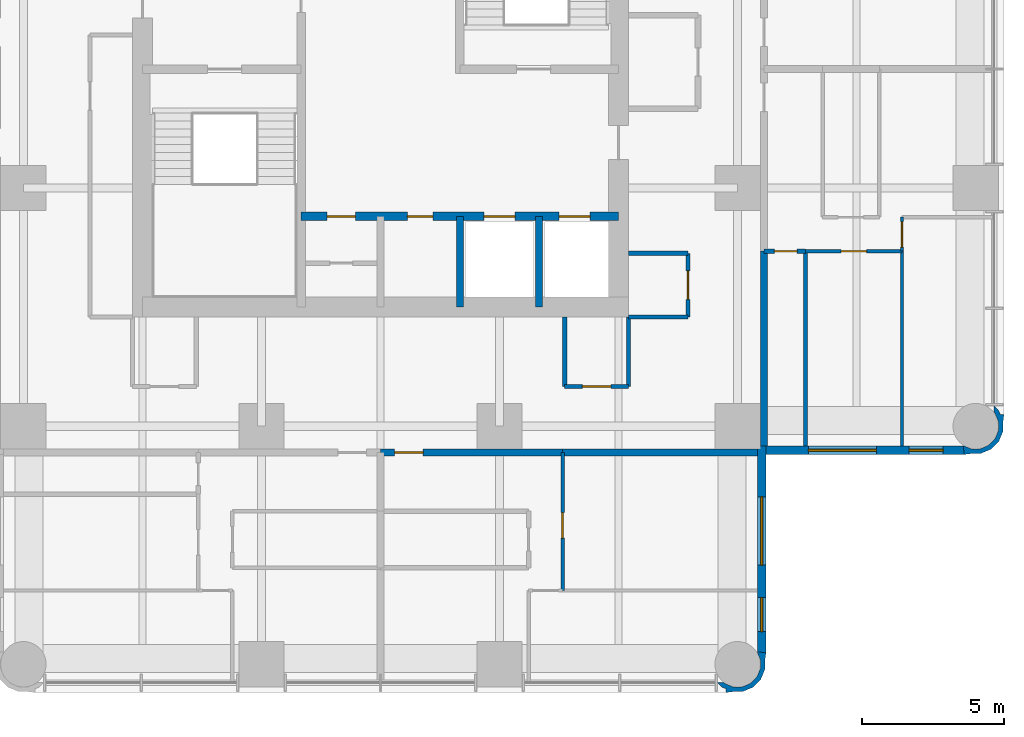
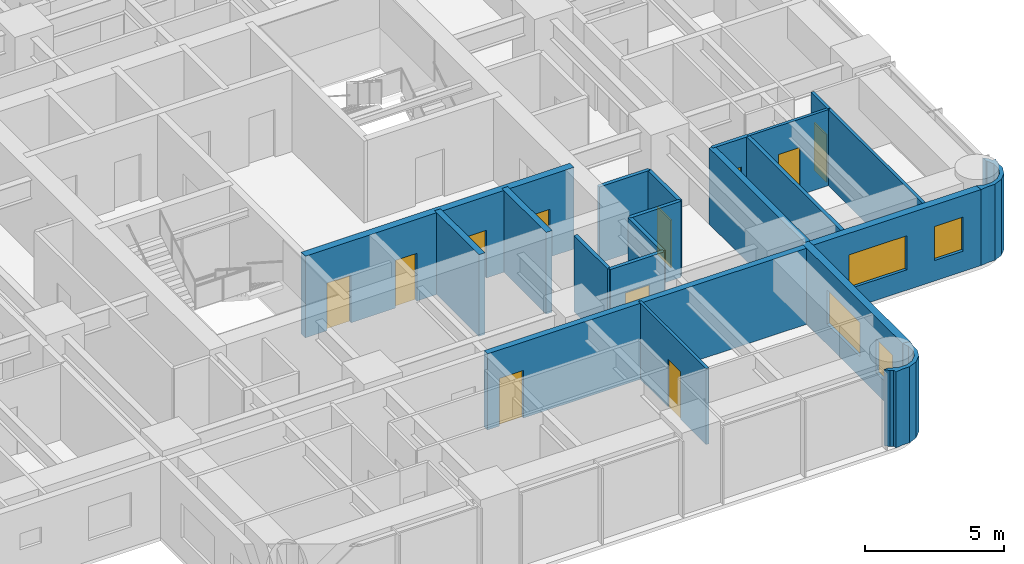
# One storey, part 7 of 11: 22 walls, 11 doors, 4 windows, 15 openings.
"""IFC4 building model written with IfcOpenShell, lengths in metres."""

from ifc_helpers import new_model, si_unit, direction, frame, frame_2d, origin, place, context, subcontext, project, spatial, polyline, rectangle, outline, extrude, material, layer, layer_set, type_object, element, fill, save


model = new_model("IFC4")

# Units and contexts
model_context = context("Model", 3, precision=1e-05, world=origin(), true_north=direction((0.0, 1.0)))
body_context = subcontext(model_context, "Body", "Model", "MODEL_VIEW")
ifc_project = project(units=[si_unit("LENGTHUNIT", "METRE"), si_unit("AREAUNIT", "SQUARE_METRE"), si_unit("VOLUMEUNIT", "CUBIC_METRE"), si_unit("PLANEANGLEUNIT", "RADIAN"), si_unit("MASSUNIT", "GRAM", prefix="KILO")], contexts=[model_context])

# Site, building, storey
site_placement = place(None, origin())
site = spatial("IfcSite", under=ifc_project, at=site_placement, CompositionType="ELEMENT")
building_placement = place(site_placement, origin())
building = spatial("IfcBuilding", under=site, at=building_placement, Name="Torre Alcanfor", CompositionType="ELEMENT")
storey_placement = place(building_placement, frame((0.0, 0.0, 244.5)))
storey = spatial("IfcBuildingStorey", under=building, at=storey_placement, Name="L64", CompositionType="ELEMENT", Elevation=244.5)

# Wall
ifc_material_1 = material(Name="Concrete block masonry, hollow blocks NMX-C-404 9 MPa", Category="masonry")
ifc_layer_1 = layer(ifc_material_1, 0.25)
ifc_layer_set_1 = layer_set([ifc_layer_1], Name="Apartment entrance wall 250 EI 60")
wall_type_1 = type_object("IfcWallType", Name="Apartment entrance wall 250 EI 60", PredefinedType="PARTITIONING", material=ifc_layer_set_1)
wall_1_placement = place(storey_placement, frame((42.925048828125, 22.970947265625, 0.0), z_axis=(0.0, 0.0, 1.0), x_axis=(0.0, -1.0, 0.0)))
element("IfcWall", 1, at=wall_1_placement, inside=storey, type_object=wall_type_1, Name="Partition L64-CORR / L64-E2-BATH", PredefinedType="PARTITIONING", context=body_context, shape_type="SweptSolid", body=[
    extrude(rectangle(XDim=6.870849609375, YDim=0.25, at=frame_2d((3.435546875, 0.0))), origin(), (0.0, 0.0, 1.0), 3.35009765625),
])

# Wall, opening, door
wall_2_placement = place(storey_placement, frame((35.8291015625, 15.875, 0.0), z_axis=(0.0, 0.0, 1.0), x_axis=(-1.0, 0.0, 0.0)))
wall_2 = element("IfcWall", 2, at=wall_2_placement, inside=storey, type_object=wall_type_1, Name="Partition L64-CORR / L64-S1-LIVING", PredefinedType="PARTITIONING", context=body_context, shape_type="SweptSolid", body=[
    extrude(rectangle(XDim=6.42919921875, YDim=0.25, at=frame_2d((3.214599609375, 0.0))), origin(), (0.0, 0.0, 1.0), 3.35009765625),
])
opening_1_placement = place(wall_2_placement, frame((4.928955078125, 0.0, 0.0)))
opening_1 = element("IfcOpeningElement", 3, at=opening_1_placement, cuts=wall_2, Name="Opening D-A1", PredefinedType="OPENING", context=body_context, shape_type="SweptSolid", body=[
    extrude(rectangle(XDim=1.0, YDim=2.10009765625, at=frame_2d((0.5, 1.050048828125))), frame((0.0, 0.135009765625, 0.0), z_axis=(0.0, -1.0, 0.0), x_axis=(1.0, 0.0, 0.0)), (0.0, 0.0, 1.0), 0.27001953125),
])
ifc_material_2 = material(Name="Galvanised steel sheet ASTM A653", Category="steel")
door_type_1 = type_object("IfcDoorType", Name="Apartment entrance door FD60 1000x2100", OperationType="SINGLE_SWING_LEFT", PredefinedType="DOOR", material=ifc_material_2)
door_1_placement = place(opening_1_placement, origin())
door_1 = element("IfcDoor", 4, at=door_1_placement, inside=storey, type_object=door_type_1, Name="Apartment entrance L64-S1", OperationType="SINGLE_SWING_RIGHT", OverallHeight=2.10009765625, OverallWidth=1.0, PredefinedType="DOOR", context=body_context, shape_type="SweptSolid", body=[
    extrude(rectangle(XDim=1.0, YDim=2.10009765625, at=frame_2d((0.5, 1.050048828125))), frame((0.0, 0.02490234375, 0.0), z_axis=(0.0, -1.0, 0.0), x_axis=(1.0, 0.0, 0.0)), (0.0, 0.0, 1.0), 0.050048828125),
])
fill(opening_1, door_1)

# Wall
wall_3_placement = place(storey_placement, frame((42.699951171875, 15.875, 0.0), z_axis=(0.0, 0.0, 1.0), x_axis=(-1.0, 0.0, 0.0)))
element("IfcWall", 5, at=wall_3_placement, inside=storey, type_object=wall_type_1, Name="Partition L64-CORR / L64-S1-BED2", PredefinedType="PARTITIONING", context=body_context, shape_type="SweptSolid", body=[
    extrude(rectangle(XDim=6.870849609375, YDim=0.25, at=frame_2d((3.435546875, 0.0))), origin(), (0.0, 0.0, 1.0), 3.35009765625),
])

# Wall, opening, door
ifc_material_3 = material(Name="Gypsum board on steel studs", Category="steel")
ifc_layer_2 = layer(ifc_material_3, 0.1201171875)
ifc_layer_set_2 = layer_set([ifc_layer_2], Name="Apartment partition 120")
wall_type_2 = type_object("IfcWallType", Name="Apartment partition 120", PredefinedType="PARTITIONING", material=ifc_layer_set_2)
wall_4_placement = place(storey_placement, frame((47.800048828125, 22.970947265625, 0.0), z_axis=(0.0, 0.0, 1.0), x_axis=(-1.0, 0.0, 0.0)))
wall_4 = element("IfcWall", 6, at=wall_4_placement, inside=storey, type_object=wall_type_2, Name="Partition L64-E2-LIVING / L64-E2-STUDY", PredefinedType="PARTITIONING", context=body_context, shape_type="SweptSolid", body=[
    extrude(rectangle(XDim=3.400146484375, YDim=0.1201171875, at=frame_2d((1.7001953125, 0.0))), origin(), (0.0, 0.0, 1.0), 3.35009765625),
])
opening_2_placement = place(wall_4_placement, frame((1.25, 0.0, 0.0)))
opening_2 = element("IfcOpeningElement", 7, at=opening_2_placement, cuts=wall_4, Name="Opening D-R1", PredefinedType="OPENING", context=body_context, shape_type="SweptSolid", body=[
    extrude(rectangle(XDim=0.89990234375, YDim=2.10009765625, at=frame_2d((0.449951171875, 1.050048828125))), frame((0.0, 0.070068359375, 0.0), z_axis=(0.0, -1.0, 0.0), x_axis=(1.0, 0.0, 0.0)), (0.0, 0.0, 1.0), 0.14013671875),
])
ifc_material_4 = material(Name="Timber", Category="wood")
door_type_2 = type_object("IfcDoorType", Name="Internal door 900x2100", OperationType="SINGLE_SWING_LEFT", PredefinedType="DOOR", material=ifc_material_4)
door_2_placement = place(opening_2_placement, origin())
door_2 = element("IfcDoor", 8, at=door_2_placement, inside=storey, type_object=door_type_2, Name="Door L64-E2 study", OperationType="SINGLE_SWING_LEFT", OverallHeight=2.10009765625, OverallWidth=0.89990234375, PredefinedType="DOOR", context=body_context, shape_type="SweptSolid", body=[
    extrude(rectangle(XDim=0.89990234375, YDim=2.10009765625, at=frame_2d((0.449951171875, 1.050048828125))), frame((0.0, 0.02490234375, 0.0), z_axis=(0.0, -1.0, 0.0), x_axis=(1.0, 0.0, 0.0)), (0.0, 0.0, 1.0), 0.050048828125),
])
fill(opening_2, door_2)

wall_5_placement = place(storey_placement, frame((47.800048828125, 24.1708984375, 0.0), z_axis=(0.0, 0.0, 1.0), x_axis=(0.0, -1.0, 0.0)))
wall_5 = element("IfcWall", 9, at=wall_5_placement, inside=storey, type_object=wall_type_2, Name="Partition L64-E2-LIVING / L64-E2-MASTER", PredefinedType="PARTITIONING", context=body_context, shape_type="SweptSolid", body=[
    extrude(rectangle(XDim=1.199951171875, YDim=0.1201171875, at=frame_2d((0.60009765625, 0.0))), origin(), (0.0, 0.0, 1.0), 3.35009765625),
])
opening_3_placement = place(wall_5_placement, frame((0.15087890625, 0.0, 0.0)))
opening_3 = element("IfcOpeningElement", 10, at=opening_3_placement, cuts=wall_5, Name="Opening D-R1", PredefinedType="OPENING", context=body_context, shape_type="SweptSolid", body=[
    extrude(rectangle(XDim=0.89990234375, YDim=2.10009765625, at=frame_2d((0.449951171875, 1.050048828125))), frame((0.0, 0.070068359375, 0.0), z_axis=(0.0, -1.0, 0.0), x_axis=(1.0, 0.0, 0.0)), (0.0, 0.0, 1.0), 0.14013671875),
])
door_3_placement = place(opening_3_placement, origin())
door_3 = element("IfcDoor", 11, at=door_3_placement, inside=storey, type_object=door_type_2, Name="Door L64-E2 master", OperationType="SINGLE_SWING_LEFT", OverallHeight=2.10009765625, OverallWidth=0.89990234375, PredefinedType="DOOR", context=body_context, shape_type="SweptSolid", body=[
    extrude(rectangle(XDim=0.89990234375, YDim=2.10009765625, at=frame_2d((0.449951171875, 1.050048828125))), frame((0.0, 0.02490234375, 0.0), z_axis=(0.0, -1.0, 0.0), x_axis=(1.0, 0.0, 0.0)), (0.0, 0.0, 1.0), 0.050048828125),
])
fill(opening_3, door_3)

# Wall
wall_6_placement = place(storey_placement, frame((47.800048828125, 22.970947265625, 0.0), z_axis=(0.0, 0.0, 1.0), x_axis=(0.0, -1.0, 0.0)))
element("IfcWall", 12, at=wall_6_placement, inside=storey, type_object=wall_type_2, Name="Partition L64-E2-STUDY / L64-E2-MASTER", PredefinedType="PARTITIONING", context=body_context, shape_type="SweptSolid", body=[
    extrude(rectangle(XDim=6.870849609375, YDim=0.1201171875, at=frame_2d((3.435546875, 0.0))), origin(), (0.0, 0.0, 1.0), 3.35009765625),
])

# Wall, opening, door
wall_7_placement = place(storey_placement, frame((35.8291015625, 15.875, 0.0), z_axis=(0.0, 0.0, 1.0), x_axis=(0.0, -1.0, 0.0)))
wall_7 = element("IfcWall", 13, at=wall_7_placement, inside=storey, type_object=wall_type_2, Name="Partition L64-S1-LIVING / L64-S1-BED2", PredefinedType="PARTITIONING", context=body_context, shape_type="SweptSolid", body=[
    extrude(rectangle(XDim=4.875, YDim=0.1201171875, at=frame_2d((2.4375, 0.0))), origin(), (0.0, 0.0, 1.0), 3.35009765625),
])
opening_4_placement = place(wall_7_placement, frame((2.125, 0.0, 0.0)))
opening_4 = element("IfcOpeningElement", 14, at=opening_4_placement, cuts=wall_7, Name="Opening D-R1", PredefinedType="OPENING", context=body_context, shape_type="SweptSolid", body=[
    extrude(rectangle(XDim=0.89990234375, YDim=2.10009765625, at=frame_2d((0.449951171875, 1.050048828125))), frame((0.0, 0.070068359375, 0.0), z_axis=(0.0, -1.0, 0.0), x_axis=(1.0, 0.0, 0.0)), (0.0, 0.0, 1.0), 0.14013671875),
])
door_4_placement = place(opening_4_placement, origin())
door_4 = element("IfcDoor", 15, at=door_4_placement, inside=storey, type_object=door_type_2, Name="Door L64-S1 bed2", OperationType="SINGLE_SWING_RIGHT", OverallHeight=2.10009765625, OverallWidth=0.89990234375, PredefinedType="DOOR", context=body_context, shape_type="SweptSolid", body=[
    extrude(rectangle(XDim=0.89990234375, YDim=2.10009765625, at=frame_2d((0.449951171875, 1.050048828125))), frame((0.0, 0.02490234375, 0.0), z_axis=(0.0, -1.0, 0.0), x_axis=(1.0, 0.0, 0.0)), (0.0, 0.0, 1.0), 0.050048828125),
])
fill(opening_4, door_4)

# Wall, openings, doors
ifc_material_5 = material(Name="Concrete f'c 70 MPa", Category="concrete")
ifc_layer_3 = layer(ifc_material_5, 0.300048828125)
ifc_layer_set_3 = layer_set([ifc_layer_3], Name="Core inner wall 300 f'c70")
wall_type_3 = type_object("IfcWallType", Name="Core inner wall 300 f'c70", PredefinedType="SHEAR", material=ifc_layer_set_3)
wall_8_placement = place(storey_placement, frame((26.60009765625, 24.199951171875, 0.0), z_axis=(0.0, 0.0, 1.0), x_axis=(1.0, 0.0, 0.0)))
wall_8 = element("IfcWall", 16, at=wall_8_placement, inside=storey, type_object=wall_type_3, Name="Core wall Y242 L64", PredefinedType="SHEAR", context=body_context, shape_type="SweptSolid", body=[
    extrude(rectangle(XDim=11.199951171875, YDim=0.300048828125, at=frame_2d((5.60009765625, 0.0))), origin(), (0.0, 0.0, 1.0), 3.60009765625),
])
opening_5_placement = place(wall_8_placement, frame((0.91259765625, 0.0, 0.0)))
opening_5 = element("IfcOpeningElement", 17, at=opening_5_placement, cuts=wall_8, Name="Opening D-K1", PredefinedType="OPENING", context=body_context, shape_type="SweptSolid", body=[
    extrude(rectangle(XDim=1.0, YDim=2.10009765625, at=frame_2d((0.5, 1.050048828125))), frame((0.0, 0.159912109375, 0.0), z_axis=(0.0, -1.0, 0.0), x_axis=(1.0, 0.0, 0.0)), (0.0, 0.0, 1.0), 0.320068359375),
])
opening_6_placement = place(wall_8_placement, frame((3.75, 0.0, 0.0)))
opening_6 = element("IfcOpeningElement", 18, at=opening_6_placement, cuts=wall_8, Name="Opening D-Q1", PredefinedType="OPENING", context=body_context, shape_type="SweptSolid", body=[
    extrude(rectangle(XDim=0.89990234375, YDim=2.10009765625, at=frame_2d((0.449951171875, 1.050048828125))), frame((0.0, 0.159912109375, 0.0), z_axis=(0.0, -1.0, 0.0), x_axis=(1.0, 0.0, 0.0)), (0.0, 0.0, 1.0), 0.320068359375),
])
opening_7_placement = place(wall_8_placement, frame((6.449951171875, 0.0, 0.0)))
opening_7 = element("IfcOpeningElement", 19, at=opening_7_placement, cuts=wall_8, Name="Opening LD1", PredefinedType="OPENING", context=body_context, shape_type="SweptSolid", body=[
    extrude(rectangle(XDim=1.10009765625, YDim=2.10009765625, at=frame_2d((0.550048828125, 1.050048828125))), frame((0.0, 0.159912109375, 0.0), z_axis=(0.0, -1.0, 0.0), x_axis=(1.0, 0.0, 0.0)), (0.0, 0.0, 1.0), 0.320068359375),
])
opening_8_placement = place(wall_8_placement, frame((9.10009765625, 0.0, 0.0)))
opening_8 = element("IfcOpeningElement", 20, at=opening_8_placement, cuts=wall_8, Name="Opening LD1", PredefinedType="OPENING", context=body_context, shape_type="SweptSolid", body=[
    extrude(rectangle(XDim=1.10009765625, YDim=2.10009765625, at=frame_2d((0.550048828125, 1.050048828125))), frame((0.0, 0.159912109375, 0.0), z_axis=(0.0, -1.0, 0.0), x_axis=(1.0, 0.0, 0.0)), (0.0, 0.0, 1.0), 0.320068359375),
])
ifc_material_6 = material(Name="Galvanised steel sheet ASTM A653", Category="steel")
door_type_3 = type_object("IfcDoorType", Name="Core room door FD60 1000x2100", OperationType="SINGLE_SWING_LEFT", PredefinedType="DOOR", material=ifc_material_6)
door_5_placement = place(opening_5_placement, frame((1.0, 0.0, 0.0), z_axis=(0.0, 0.0, 1.0), x_axis=(-1.0, 0.0, 0.0)))
door_5 = element("IfcDoor", 21, at=door_5_placement, inside=storey, type_object=door_type_3, Name="Residents' storage door L64", OperationType="SINGLE_SWING_RIGHT", OverallHeight=2.10009765625, OverallWidth=1.0, PredefinedType="DOOR", context=body_context, shape_type="SweptSolid", body=[
    extrude(rectangle(XDim=1.0, YDim=2.10009765625, at=frame_2d((0.5, 1.050048828125))), frame((0.0, 0.025146484375, 0.0), z_axis=(0.0, -1.0, 0.0), x_axis=(1.0, 0.0, 0.0)), (0.0, 0.0, 1.0), 0.050048828125),
])
fill(opening_5, door_5)
ifc_material_7 = material(Name="Galvanised steel sheet ASTM A653", Category="steel")
door_type_4 = type_object("IfcDoorType", Name="Lift landing door 1100x2100", OperationType="DOUBLE_DOOR_SLIDING", PredefinedType="DOOR", material=ifc_material_7)
door_6_placement = place(opening_7_placement, origin())
door_6 = element("IfcDoor", 22, at=door_6_placement, inside=storey, type_object=door_type_4, Name="Lift landing door PA3 L64", OperationType="DOUBLE_DOOR_SLIDING", OverallHeight=2.10009765625, OverallWidth=1.10009765625, PredefinedType="DOOR", context=body_context, shape_type="SweptSolid", body=[
    extrude(rectangle(XDim=1.10009765625, YDim=2.10009765625, at=frame_2d((0.550048828125, 1.050048828125))), frame((0.0, 0.02490234375, 0.0), z_axis=(0.0, -1.0, 0.0), x_axis=(1.0, 0.0, 0.0)), (0.0, 0.0, 1.0), 0.050048828125),
])
fill(opening_7, door_6)
door_7_placement = place(opening_8_placement, origin())
door_7 = element("IfcDoor", 23, at=door_7_placement, inside=storey, type_object=door_type_4, Name="Lift landing door PA4 L64", OperationType="DOUBLE_DOOR_SLIDING", OverallHeight=2.10009765625, OverallWidth=1.10009765625, PredefinedType="DOOR", context=body_context, shape_type="SweptSolid", body=[
    extrude(rectangle(XDim=1.10009765625, YDim=2.10009765625, at=frame_2d((0.550048828125, 1.050048828125))), frame((0.0, 0.02490234375, 0.0), z_axis=(0.0, -1.0, 0.0), x_axis=(1.0, 0.0, 0.0)), (0.0, 0.0, 1.0), 0.050048828125),
])
fill(opening_8, door_7)
ifc_material_8 = material(Name="Galvanised steel sheet ASTM A653", Category="steel")
door_type_5 = type_object("IfcDoorType", Name="Riser access door FD120 900x2100", OperationType="SINGLE_SWING_LEFT", PredefinedType="DOOR", material=ifc_material_8)
door_8_placement = place(opening_6_placement, frame((0.89990234375, 0.0, 0.0), z_axis=(0.0, 0.0, 1.0), x_axis=(-1.0, 0.0, 0.0)))
door_8 = element("IfcDoor", 24, at=door_8_placement, inside=storey, type_object=door_type_5, Name="Riser door L64", OperationType="SINGLE_SWING_RIGHT", OverallHeight=2.10009765625, OverallWidth=0.89990234375, PredefinedType="DOOR", context=body_context, shape_type="SweptSolid", body=[
    extrude(rectangle(XDim=0.89990234375, YDim=2.10009765625, at=frame_2d((0.449951171875, 1.050048828125))), frame((0.0, 0.025146484375, 0.0), z_axis=(0.0, -1.0, 0.0), x_axis=(1.0, 0.0, 0.0)), (0.0, 0.0, 1.0), 0.050048828125),
])
fill(opening_6, door_8)

# Walls
ifc_material_9 = material(Name="Concrete f'c 70 MPa", Category="concrete")
ifc_layer_4 = layer(ifc_material_9, 0.25)
ifc_layer_set_4 = layer_set([ifc_layer_4], Name="Core shaft wall 250 f'c70")
wall_type_4 = type_object("IfcWallType", Name="Core shaft wall 250 f'c70", PredefinedType="SHEAR", material=ifc_layer_set_4)
for number, where, z_axis, x_axis, name in (
    (25, (32.199951171875, 21.0, 0.0), (0.0, 0.0, 1.0), (0.0, 1.0, 0.0), "Core wall X322S L64"),
    (26, (35.0, 21.0, 0.0), (0.0, 0.0, 1.0), (0.0, 1.0, 0.0), "Core wall X350S L64"),
):
    element("IfcWall", number, at=place(storey_placement, frame(where, z_axis=z_axis, x_axis=x_axis)), inside=storey, type_object=wall_type_4, Name=name, PredefinedType="SHEAR", context=body_context, shape_type="SweptSolid", body=[
        extrude(rectangle(XDim=3.199951171875, YDim=0.25, at=frame_2d((1.60009765625, 0.0))), origin(), (0.0, 0.0, 1.0), 3.60009765625),
    ])

# Wall, openings, windows
ifc_material_10 = material(Name="Limestone cladding", Category="masonry")
ifc_layer_5 = layer(ifc_material_10, 0.0400390625, Name="Facing")
ifc_material_11 = material(Name="Ventilated air cavity")
ifc_layer_6 = layer(ifc_material_11, 0.02001953125, ventilated=True, Name="Ventilated joint")
ifc_material_12 = material(Name="Mineral wool insulation", Category="insulation")
ifc_layer_7 = layer(ifc_material_12, 0.10009765625, Name="Insulation")
ifc_material_13 = material(Name="Concrete f'c 35 MPa", Category="concrete")
ifc_layer_8 = layer(ifc_material_13, 0.139892578125, Name="Backing")
ifc_layer_set_5 = layer_set([ifc_layer_5, ifc_layer_6, ifc_layer_7, ifc_layer_8], Name="External wall stone-clad 300")
wall_type_5 = type_object("IfcWallType", Name="External wall stone-clad 300", PredefinedType="SOLIDWALL", material=ifc_layer_set_5)
wall_9_placement = place(storey_placement, frame((42.85009765625, 8.800048828125, 0.0), z_axis=(0.0, 0.0, 1.0), x_axis=(0.0, 1.0, 0.0)))
wall_9 = element("IfcWall", 27, at=wall_9_placement, inside=storey, type_object=wall_type_5, Name="External wall L64 6", PredefinedType="SOLIDWALL", context=body_context, shape_type="SweptSolid", body=[
    extrude(rectangle(XDim=7.300048828125, YDim=0.300048828125, at=frame_2d((3.64990234375, 0.0))), origin(), (0.0, 0.0, 1.0), 3.35009765625),
])
opening_9_placement = place(wall_9_placement, frame((3.10009765625, 0.0, 0.89990234375)))
opening_9 = element("IfcOpeningElement", 28, at=opening_9_placement, cuts=wall_9, Name="Opening W1", PredefinedType="OPENING", context=body_context, shape_type="SweptSolid", body=[
    extrude(rectangle(XDim=2.39990234375, YDim=1.5, at=frame_2d((1.199951171875, 0.75))), frame((0.0, 0.159912109375, 0.0), z_axis=(0.0, -1.0, 0.0), x_axis=(1.0, 0.0, 0.0)), (0.0, 0.0, 1.0), 0.320068359375),
])
opening_10_placement = place(wall_9_placement, frame((0.75, 0.0, 0.89990234375)))
opening_10 = element("IfcOpeningElement", 29, at=opening_10_placement, cuts=wall_9, Name="Opening W4", PredefinedType="OPENING", context=body_context, shape_type="SweptSolid", body=[
    extrude(rectangle(XDim=1.199951171875, YDim=1.5, at=frame_2d((0.60009765625, 0.75))), frame((0.0, 0.159912109375, 0.0), z_axis=(0.0, -1.0, 0.0), x_axis=(1.0, 0.0, 0.0)), (0.0, 0.0, 1.0), 0.320068359375),
])
ifc_material_14 = material(Name="Aluminium frame with clear double glazing", Category="aluminium")
window_type_1 = type_object("IfcWindowType", Name="Window bedroom 1200x1500", PartitioningType="SINGLE_PANEL", PredefinedType="WINDOW", material=ifc_material_14)
window_1_placement = place(opening_10_placement, origin())
window_1 = element("IfcWindow", 30, at=window_1_placement, inside=storey, type_object=window_type_1, Name="Window W4 L64-S1", OverallHeight=1.5, OverallWidth=1.199951171875, PartitioningType="SINGLE_PANEL", PredefinedType="WINDOW", context=body_context, shape_type="SweptSolid", body=[
    extrude(rectangle(XDim=1.199951171875, YDim=1.5, at=frame_2d((0.60009765625, 0.75))), frame((0.0, 0.030029296875, 0.0), z_axis=(0.0, -1.0, 0.0), x_axis=(1.0, 0.0, 0.0)), (0.0, 0.0, 1.0), 0.06005859375),
])
fill(opening_10, window_1)
ifc_material_15 = material(Name="Aluminium frame with clear double glazing", Category="aluminium")
window_type_2 = type_object("IfcWindowType", Name="Window bedroom 2400x1500", PartitioningType="SINGLE_PANEL", PredefinedType="WINDOW", material=ifc_material_15)
window_2_placement = place(opening_9_placement, origin())
window_2 = element("IfcWindow", 31, at=window_2_placement, inside=storey, type_object=window_type_2, Name="Window W1 L64-S1", OverallHeight=1.5, OverallWidth=2.39990234375, PartitioningType="SINGLE_PANEL", PredefinedType="WINDOW", context=body_context, shape_type="SweptSolid", body=[
    extrude(rectangle(XDim=2.39990234375, YDim=1.5, at=frame_2d((1.199951171875, 0.75))), frame((0.0, 0.030029296875, 0.0), z_axis=(0.0, -1.0, 0.0), x_axis=(1.0, 0.0, 0.0)), (0.0, 0.0, 1.0), 0.06005859375),
])
fill(opening_9, window_2)

wall_10_placement = place(storey_placement, frame((43.0, 15.949951171875, 0.0), z_axis=(0.0, 0.0, 1.0), x_axis=(1.0, 0.0, 0.0)))
wall_10 = element("IfcWall", 32, at=wall_10_placement, inside=storey, type_object=wall_type_5, Name="External wall L64 7", PredefinedType="SOLIDWALL", context=body_context, shape_type="SweptSolid", body=[
    extrude(rectangle(XDim=7.0, YDim=0.300048828125, at=frame_2d((3.5, 0.0))), origin(), (0.0, 0.0, 1.0), 3.35009765625),
])
opening_11_placement = place(wall_10_placement, frame((1.5, 0.0, 0.89990234375)))
opening_11 = element("IfcOpeningElement", 33, at=opening_11_placement, cuts=wall_10, Name="Opening W1", PredefinedType="OPENING", context=body_context, shape_type="SweptSolid", body=[
    extrude(rectangle(XDim=2.39990234375, YDim=1.5, at=frame_2d((1.199951171875, 0.75))), frame((0.0, 0.159912109375, 0.0), z_axis=(0.0, -1.0, 0.0), x_axis=(1.0, 0.0, 0.0)), (0.0, 0.0, 1.0), 0.320068359375),
])
opening_12_placement = place(wall_10_placement, frame((5.050048828125, 0.0, 0.89990234375)))
opening_12 = element("IfcOpeningElement", 34, at=opening_12_placement, cuts=wall_10, Name="Opening W4", PredefinedType="OPENING", context=body_context, shape_type="SweptSolid", body=[
    extrude(rectangle(XDim=1.199951171875, YDim=1.5, at=frame_2d((0.60009765625, 0.75))), frame((0.0, 0.159912109375, 0.0), z_axis=(0.0, -1.0, 0.0), x_axis=(1.0, 0.0, 0.0)), (0.0, 0.0, 1.0), 0.320068359375),
])
window_3_placement = place(opening_12_placement, origin())
window_3 = element("IfcWindow", 35, at=window_3_placement, inside=storey, type_object=window_type_1, Name="Window W4 L64-E2", OverallHeight=1.5, OverallWidth=1.199951171875, PartitioningType="SINGLE_PANEL", PredefinedType="WINDOW", context=body_context, shape_type="SweptSolid", body=[
    extrude(rectangle(XDim=1.199951171875, YDim=1.5, at=frame_2d((0.60009765625, 0.75))), frame((0.0, 0.030029296875, 0.0), z_axis=(0.0, -1.0, 0.0), x_axis=(1.0, 0.0, 0.0)), (0.0, 0.0, 1.0), 0.06005859375),
])
fill(opening_12, window_3)
window_4_placement = place(opening_11_placement, origin())
window_4 = element("IfcWindow", 36, at=window_4_placement, inside=storey, type_object=window_type_2, Name="Window W1 L64-E2", OverallHeight=1.5, OverallWidth=2.39990234375, PartitioningType="SINGLE_PANEL", PredefinedType="WINDOW", context=body_context, shape_type="SweptSolid", body=[
    extrude(rectangle(XDim=2.39990234375, YDim=1.5, at=frame_2d((1.199951171875, 0.75))), frame((0.0, 0.030029296875, 0.0), z_axis=(0.0, -1.0, 0.0), x_axis=(1.0, 0.0, 0.0)), (0.0, 0.0, 1.0), 0.06005859375),
])
fill(opening_11, window_4)

# Wall
ifc_material_16 = material(Name="Concrete block masonry, hollow blocks NMX-C-404 9 MPa", Category="masonry")
ifc_layer_9 = layer(ifc_material_16, 0.14990234375)
ifc_layer_set_6 = layer_set([ifc_layer_9], Name="Residents' room partition 150")
wall_type_6 = type_object("IfcWallType", Name="Residents' room partition 150", PredefinedType="PARTITIONING", material=ifc_layer_set_6)
wall_11_placement = place(storey_placement, frame((38.14990234375, 20.64990234375, 0.0), z_axis=(0.0, 0.0, 1.0), x_axis=(1.0, 0.0, 0.0)))
element("IfcWall", 37, at=wall_11_placement, inside=storey, type_object=wall_type_6, Name="Partition L64-CORR / L64-G03", PredefinedType="PARTITIONING", context=body_context, shape_type="SweptSolid", body=[
    extrude(rectangle(XDim=2.10009765625, YDim=0.14990234375, at=frame_2d((1.050048828125, 0.0))), origin(), (0.0, 0.0, 1.0), 3.35009765625),
])

# Wall, opening, door
wall_12_placement = place(storey_placement, frame((40.25, 20.64990234375, 0.0), z_axis=(0.0, 0.0, 1.0), x_axis=(0.0, 1.0, 0.0)))
wall_12 = element("IfcWall", 38, at=wall_12_placement, inside=storey, type_object=wall_type_6, Name="Partition L64-CORR / L64-G03", PredefinedType="PARTITIONING", context=body_context, shape_type="SweptSolid", body=[
    extrude(rectangle(XDim=2.25, YDim=0.14990234375, at=frame_2d((1.125, 0.0))), origin(), (0.0, 0.0, 1.0), 3.35009765625),
])
opening_13_placement = place(wall_12_placement, frame((0.625, 0.0, 0.0)))
opening_13 = element("IfcOpeningElement", 39, at=opening_13_placement, cuts=wall_12, Name="Opening D-M1", PredefinedType="OPENING", context=body_context, shape_type="SweptSolid", body=[
    extrude(rectangle(XDim=1.0, YDim=2.10009765625, at=frame_2d((0.5, 1.050048828125))), frame((0.0, 0.0849609375, 0.0), z_axis=(0.0, -1.0, 0.0), x_axis=(1.0, 0.0, 0.0)), (0.0, 0.0, 1.0), 0.169921875),
])
ifc_material_17 = material(Name="Timber", Category="wood")
door_type_6 = type_object("IfcDoorType", Name="Residents' room door 1000x2100", OperationType="SINGLE_SWING_LEFT", PredefinedType="DOOR", material=ifc_material_17)
door_9_placement = place(opening_13_placement, origin())
door_9 = element("IfcDoor", 40, at=door_9_placement, inside=storey, type_object=door_type_6, Name="Door L64-G03 parcel room", OperationType="SINGLE_SWING_LEFT", OverallHeight=2.10009765625, OverallWidth=1.0, PredefinedType="DOOR", context=body_context, shape_type="SweptSolid", body=[
    extrude(rectangle(XDim=1.0, YDim=2.10009765625, at=frame_2d((0.5, 1.050048828125))), frame((0.0, 0.02490234375, 0.0), z_axis=(0.0, -1.0, 0.0), x_axis=(1.0, 0.0, 0.0)), (0.0, 0.0, 1.0), 0.050048828125),
])
fill(opening_13, door_9)

# Walls
wall_13_placement = place(storey_placement, frame((40.25, 22.89990234375, 0.0), z_axis=(0.0, 0.0, 1.0), x_axis=(-1.0, 0.0, 0.0)))
element("IfcWall", 41, at=wall_13_placement, inside=storey, type_object=wall_type_6, Name="Partition L64-CORR / L64-G03", PredefinedType="PARTITIONING", context=body_context, shape_type="SweptSolid", body=[
    extrude(rectangle(XDim=2.10009765625, YDim=0.14990234375, at=frame_2d((1.050048828125, 0.0))), origin(), (0.0, 0.0, 1.0), 3.35009765625),
])
wall_14_placement = place(storey_placement, frame((35.89990234375, 20.64990234375, 0.0), z_axis=(0.0, 0.0, 1.0), x_axis=(0.0, -1.0, 0.0)))
element("IfcWall", 42, at=wall_14_placement, inside=storey, type_object=wall_type_6, Name="Partition L64-CORR / L64-G06", PredefinedType="PARTITIONING", context=body_context, shape_type="SweptSolid", body=[
    extrude(rectangle(XDim=2.449951171875, YDim=0.14990234375, at=frame_2d((1.22509765625, 0.0))), origin(), (0.0, 0.0, 1.0), 3.35009765625),
])

# Wall, opening, door
wall_15_placement = place(storey_placement, frame((35.89990234375, 18.199951171875, 0.0), z_axis=(0.0, 0.0, 1.0), x_axis=(1.0, 0.0, 0.0)))
wall_15 = element("IfcWall", 43, at=wall_15_placement, inside=storey, type_object=wall_type_6, Name="Partition L64-CORR / L64-G06", PredefinedType="PARTITIONING", context=body_context, shape_type="SweptSolid", body=[
    extrude(rectangle(XDim=2.25, YDim=0.14990234375, at=frame_2d((1.125, 0.0))), origin(), (0.0, 0.0, 1.0), 3.35009765625),
])
opening_14_placement = place(wall_15_placement, frame((0.625, 0.0, 0.0)))
opening_14 = element("IfcOpeningElement", 44, at=opening_14_placement, cuts=wall_15, Name="Opening D-M1", PredefinedType="OPENING", context=body_context, shape_type="SweptSolid", body=[
    extrude(rectangle(XDim=1.0, YDim=2.10009765625, at=frame_2d((0.5, 1.050048828125))), frame((0.0, 0.0849609375, 0.0), z_axis=(0.0, -1.0, 0.0), x_axis=(1.0, 0.0, 0.0)), (0.0, 0.0, 1.0), 0.169921875),
])
door_10_placement = place(opening_14_placement, origin())
door_10 = element("IfcDoor", 45, at=door_10_placement, inside=storey, type_object=door_type_6, Name="Door L64-G06 linen store", OperationType="SINGLE_SWING_LEFT", OverallHeight=2.10009765625, OverallWidth=1.0, PredefinedType="DOOR", context=body_context, shape_type="SweptSolid", body=[
    extrude(rectangle(XDim=1.0, YDim=2.10009765625, at=frame_2d((0.5, 1.050048828125))), frame((0.0, 0.02490234375, 0.0), z_axis=(0.0, -1.0, 0.0), x_axis=(1.0, 0.0, 0.0)), (0.0, 0.0, 1.0), 0.050048828125),
])
fill(opening_14, door_10)

# Walls
wall_16_placement = place(storey_placement, frame((38.14990234375, 18.199951171875, 0.0), z_axis=(0.0, 0.0, 1.0), x_axis=(0.0, 1.0, 0.0)))
element("IfcWall", 46, at=wall_16_placement, inside=storey, type_object=wall_type_6, Name="Partition L64-CORR / L64-G06", PredefinedType="PARTITIONING", context=body_context, shape_type="SweptSolid", body=[
    extrude(rectangle(XDim=2.449951171875, YDim=0.14990234375, at=frame_2d((1.22509765625, 0.0))), origin(), (0.0, 0.0, 1.0), 3.35009765625),
])
ifc_layer_10 = layer(ifc_material_10, 0.0400390625, Name="Facing")
ifc_layer_11 = layer(ifc_material_11, 0.02001953125, ventilated=True, Name="Ventilated joint")
ifc_layer_12 = layer(ifc_material_12, 0.10009765625, Name="Insulation")
ifc_layer_13 = layer(ifc_material_13, 0.139892578125, Name="Backing")
ifc_layer_set_7 = layer_set([ifc_layer_10, ifc_layer_11, ifc_layer_12, ifc_layer_13], Name="Rounded corner pier stone-clad 300")
wall_type_7 = type_object("IfcWallType", Name="Rounded corner pier stone-clad 300", PredefinedType="SOLIDWALL", material=ifc_layer_set_7)
wall_17_placement = place(storey_placement, frame((41.351928198, 7.804682488, 0.0), z_axis=(0.0, 0.0, 1.0), x_axis=(0.343276641956, -0.93923434088, 0.0)))
element("IfcWall", 47, at=wall_17_placement, inside=storey, type_object=wall_type_7, Name="Corner pier L64 16", PredefinedType="SOLIDWALL", context=body_context, shape_type="SweptSolid", body=[
    extrude(outline(polyline([(-0.3691376945080963, 1.8896116474277462), (-0.5092849006082865, 1.6213723434863179), (-0.4904818693699753, 1.614500106025285), (-0.47937395557818696, 1.6086207727425919), (-0.21134604487110653, 1.620093396259431), (0.08789731812884549, 1.5107242513003132), (0.3226193813038204, 1.29522875171589), (0.4568297522668325, 1.0059961170728082), (0.47018090116819644, 0.6876338955306306), (0.3608955639829935, 0.3886198377896824), (0.14540006439857034, 0.15389777461470747), (0.10805580570731482, 0.136354268630141), (0.030952653705484567, -0.07460656965335008), (0.24105149879401783, 0.023022242841209073), (0.33345144333490195, 0.12363819812835387), (0.46537419024986754, 0.09413770889727405), (0.5320249985235461, 0.39313792602006), (0.6305829406476248, 0.6628009106085226), (0.6143313238115743, 1.0443478664441104), (0.4534111053034037, 1.390650880852334), (0.17226586261802523, 1.6491069643028293), (-0.09739712197043726, 1.7476649064269079), (-0.3691376945080963, 1.8896116474277462)])), origin(), (0.0, 0.0, 1.0), 3.35009765625),
])
wall_18_placement = place(storey_placement, frame((50.073176205, 15.982940512, 0.0), z_axis=(0.0, 0.0, 1.0), x_axis=(0.93923434088, -0.343276641956, 0.0)))
element("IfcWall", 48, at=wall_18_placement, inside=storey, type_object=wall_type_7, Name="Corner pier L64 17", PredefinedType="SOLIDWALL", context=body_context, shape_type="SweptSolid", body=[
    extrude(outline(polyline([(0.82833541791, 1.598492298676388), (0.6966419762540381, 1.569075617219223), (0.604242031713154, 1.6696915725063681), (0.3941431866246209, 1.7673203850009274), (0.47133014640036613, 1.5561302414584324), (0.5085905973177065, 1.5388160407328697), (0.7240860969021297, 1.3040939775578946), (0.8334552418612476, 1.0048506145579426), (0.8201040929598838, 0.6864883930157649), (0.6858099142229566, 0.3974850636316871), (0.4510878510479817, 0.1819895640472639), (0.15184448804802966, 0.072620419088146), (-0.11618342265905075, 0.08409304260498518), (-0.12752064170984284, 0.07812990154837691), (-0.14609436768915024, 0.07134147186125925), (-0.005947161588960068, -0.19689783208016906), (0.26556410568969513, -0.055034898853245834), (0.5354563955371614, 0.043606851044747874), (0.8166854459964551, 0.3018336292362396), (0.9776056645046255, 0.6481366436444629), (0.993857281340676, 1.0296835994800508), (0.8952155314426823, 1.299575889327517), (0.82833541791, 1.598492298676388)])), origin(), (0.0, 0.0, 1.0), 3.35009765625),
])

# Wall, opening, door
ifc_material_18 = material(Name="Cement board on steel studs", Category="steel")
ifc_layer_14 = layer(ifc_material_18, 0.14990234375)
ifc_layer_set_8 = layer_set([ifc_layer_14], Name="Wet area partition 150")
wall_type_8 = type_object("IfcWallType", Name="Wet area partition 150", PredefinedType="PARTITIONING", material=ifc_layer_set_8)
wall_19_placement = place(storey_placement, frame((44.39990234375, 22.970947265625, 0.0), z_axis=(0.0, 0.0, 1.0), x_axis=(-1.0, 0.0, 0.0)))
wall_19 = element("IfcWall", 49, at=wall_19_placement, inside=storey, type_object=wall_type_8, Name="Partition L64-E2-LIVING / L64-E2-BATH", PredefinedType="PARTITIONING", context=body_context, shape_type="SweptSolid", body=[
    extrude(rectangle(XDim=1.474853515625, YDim=0.14990234375, at=frame_2d((0.7373046875, 0.0))), origin(), (0.0, 0.0, 1.0), 3.35009765625),
])
opening_15_placement = place(wall_19_placement, frame((0.300048828125, 0.0, 0.0)))
opening_15 = element("IfcOpeningElement", 50, at=opening_15_placement, cuts=wall_19, Name="Opening D-R2", PredefinedType="OPENING", context=body_context, shape_type="SweptSolid", body=[
    extrude(rectangle(XDim=0.800048828125, YDim=2.10009765625, at=frame_2d((0.39990234375, 1.050048828125))), frame((0.0, 0.0849609375, 0.0), z_axis=(0.0, -1.0, 0.0), x_axis=(1.0, 0.0, 0.0)), (0.0, 0.0, 1.0), 0.169921875),
])
ifc_material_19 = material(Name="Timber", Category="wood")
door_type_7 = type_object("IfcDoorType", Name="Bathroom door 800x2100", OperationType="SINGLE_SWING_LEFT", PredefinedType="DOOR", material=ifc_material_19)
door_11_placement = place(opening_15_placement, origin())
door_11 = element("IfcDoor", 51, at=door_11_placement, inside=storey, type_object=door_type_7, Name="Door L64-E2 bath", OperationType="SINGLE_SWING_LEFT", OverallHeight=2.10009765625, OverallWidth=0.800048828125, PredefinedType="DOOR", context=body_context, shape_type="SweptSolid", body=[
    extrude(rectangle(XDim=0.800048828125, YDim=2.10009765625, at=frame_2d((0.39990234375, 1.050048828125))), frame((0.0, 0.02490234375, 0.0), z_axis=(0.0, -1.0, 0.0), x_axis=(1.0, 0.0, 0.0)), (0.0, 0.0, 1.0), 0.050048828125),
])
fill(opening_15, door_11)

# Wall
wall_20_placement = place(storey_placement, frame((44.39990234375, 22.970947265625, 0.0), z_axis=(0.0, 0.0, 1.0), x_axis=(0.0, -1.0, 0.0)))
element("IfcWall", 52, at=wall_20_placement, inside=storey, type_object=wall_type_8, Name="Partition L64-E2-BATH / L64-E2-STUDY", PredefinedType="PARTITIONING", context=body_context, shape_type="SweptSolid", body=[
    extrude(rectangle(XDim=6.870849609375, YDim=0.14990234375, at=frame_2d((3.435546875, 0.0))), origin(), (0.0, 0.0, 1.0), 3.35009765625),
])

save(model, "model.ifc")
